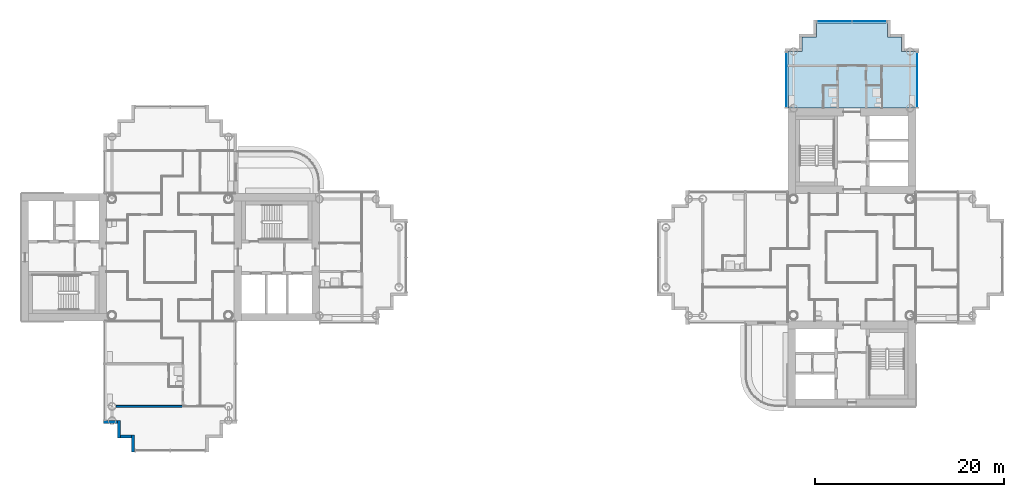
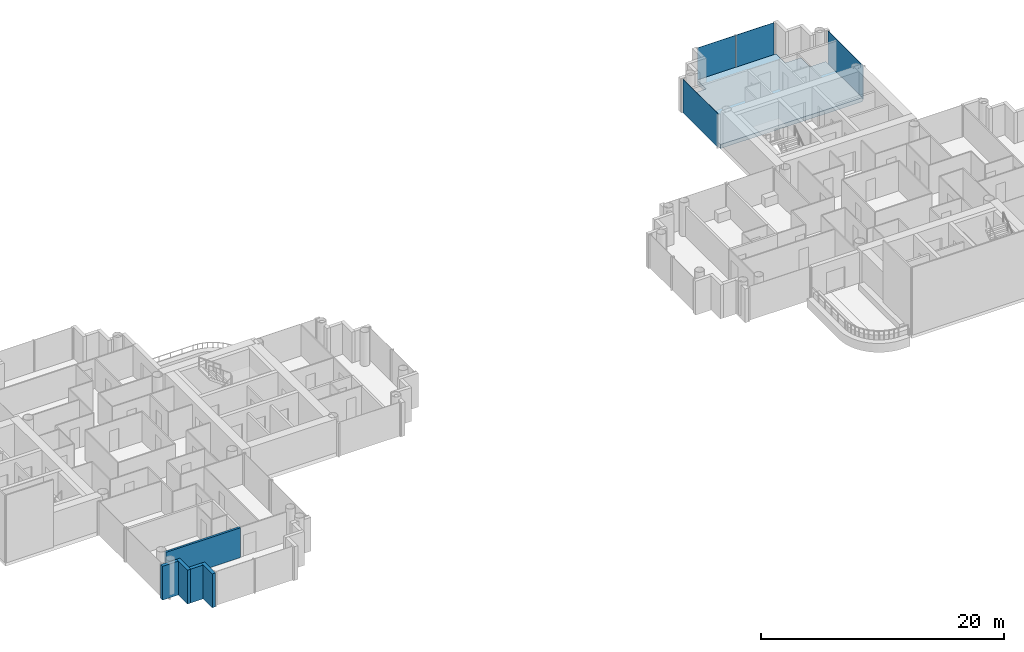
# One storey, part 6 of 19: 5 walls, 4 plates, 1 slab, 3 elements without a shape of their own.
"""IFC4 building model written with IfcOpenShell, lengths in metres."""

from ifc_helpers import new_model, si_unit, direction, frame, frame_2d, origin, origin_2d, place, context, subcontext, project, spatial, polyline, rectangle, outline, extrude, material, layer, layer_set, type_object, element, aggregate, save


model = new_model("IFC4")

# Units and contexts
model_context = context("Model", 3, precision=1e-05, world=origin(), true_north=direction((0.0, 1.0)))
body_context = subcontext(model_context, "Body", "Model", "MODEL_VIEW")
ifc_project = project(units=[si_unit("LENGTHUNIT", "METRE"), si_unit("AREAUNIT", "SQUARE_METRE"), si_unit("VOLUMEUNIT", "CUBIC_METRE"), si_unit("PLANEANGLEUNIT", "RADIAN"), si_unit("MASSUNIT", "GRAM", prefix="KILO")], contexts=[model_context])

# Site, building, storey
site_placement = place(None, origin())
site = spatial("IfcSite", under=ifc_project, at=site_placement, CompositionType="ELEMENT")
building_placement = place(site_placement, origin())
building = spatial("IfcBuilding", under=site, at=building_placement, Name="Ipe Terrace Towers", CompositionType="ELEMENT")
storey_placement = place(building_placement, frame((0.0, 0.0, 174.5)))
storey = spatial("IfcBuildingStorey", under=building, at=storey_placement, Name="L48", CompositionType="ELEMENT", Elevation=174.5)

# Slab
ifc_material_1 = material(Name="Concrete C40/50", Category="concrete")
ifc_layer_1 = layer(ifc_material_1, 0.39990234375)
ifc_layer_set_1 = layer_set([ifc_layer_1], Name="FLAT PLATE SLAB 400 C40-50")
slab_type = type_object("IfcSlabType", Name="FLAT PLATE SLAB 400 C40-50", PredefinedType="FLOOR", material=ifc_layer_set_1)
slab_placement = place(storey_placement, frame((0.0, 0.0, -0.39990234375)))
element("IfcSlab", 1, at=slab_placement, inside=storey, type_object=slab_type, Name="Slab T2-FS-Z32", PredefinedType="FLOOR", context=body_context, shape_type="SweptSolid", body=[
    extrude(outline(polyline([(30.75, 21.75), (30.75, 23.25), (32.25, 23.25), (32.25, 24.75), (39.75, 24.75), (39.75, 23.25), (41.25, 23.25), (41.25, 21.75), (42.75, 21.75), (42.75, 15.75), (29.25, 15.75), (29.25, 21.75), (30.75, 21.75)])), origin(), (0.0, 0.0, 1.0), 0.39990234375),
])

# Curtain wall, plate
ifc_material_2 = material(Name="Aluminium alloy 6063-T6", Category="aluminium")
ifc_layer_2 = layer(ifc_material_2, 0.320068359375)
ifc_layer_set_2 = layer_set([ifc_layer_2], Name="TOWER UNITISED CURTAIN WALL")
curtain_wall_type = type_object("IfcCurtainWallType", Name="TOWER UNITISED CURTAIN WALL", PredefinedType="NOTDEFINED", material=ifc_layer_set_2)
curtain_wall_1_placement = place(storey_placement, origin())
curtain_wall_1 = element("IfcCurtainWall", 2, at=curtain_wall_1_placement, inside=storey, type_object=curtain_wall_type, Name="T2-CW-L48-16b curtain wall", PredefinedType="NOTDEFINED")
ifc_material_3 = material(Name="Glass, clear laminated", Category="glass")
ifc_layer_3 = layer(ifc_material_3, 0.031982421875)
ifc_layer_set_3 = layer_set([ifc_layer_3], Name="TOWER UNITISED GLASS PANEL 32")
plate_type = type_object("IfcPlateType", Name="TOWER UNITISED GLASS PANEL 32", PredefinedType="CURTAIN_PANEL", material=ifc_layer_set_3)
plate_1_placement = place(storey_placement, frame((42.909912109375, 18.75048828125, -0.300048828125), z_axis=(0.0, 0.0, 1.0), x_axis=(0.0, 1.0, 0.0)))
plate_1 = element("IfcPlate", 3, at=plate_1_placement, type_object=plate_type, Name="T2-CW-L48-16b panel 1", PredefinedType="CURTAIN_PANEL", context=body_context, shape_type="SweptSolid", body=[
    extrude(rectangle(XDim=5.759033203125, YDim=0.031982421875, at=origin_2d()), origin(), (0.0, 0.0, 1.0), 3.39990234375),
])
aggregate(curtain_wall_1, [plate_1])

# Curtain wall, plates
curtain_wall_2_placement = place(storey_placement, origin())
curtain_wall_2 = element("IfcCurtainWall", 4, at=curtain_wall_2_placement, inside=storey, type_object=curtain_wall_type, Name="T2-CW-L48-21a curtain wall", PredefinedType="NOTDEFINED")
plate_2_placement = place(storey_placement, frame((37.831298828125, 24.909912109375, -0.300048828125), z_axis=(0.0, 0.0, 1.0), x_axis=(-1.0, 0.0, 0.0)))
plate_2 = element("IfcPlate", 5, at=plate_2_placement, type_object=plate_type, Name="T2-CW-L48-21a panel 1", PredefinedType="CURTAIN_PANEL", context=body_context, shape_type="SweptSolid", body=[
    extrude(rectangle(XDim=3.597412109375, YDim=0.031982421875, at=origin_2d()), origin(), (0.0, 0.0, 1.0), 3.39990234375),
])
plate_3_placement = place(storey_placement, frame((34.168701171875, 24.909912109375, -0.300048828125), z_axis=(0.0, 0.0, 1.0), x_axis=(-1.0, 0.0, 0.0)))
plate_3 = element("IfcPlate", 6, at=plate_3_placement, type_object=plate_type, Name="T2-CW-L48-21a panel 2", PredefinedType="CURTAIN_PANEL", context=body_context, shape_type="SweptSolid", body=[
    extrude(rectangle(XDim=3.597412109375, YDim=0.031982421875, at=origin_2d()), origin(), (0.0, 0.0, 1.0), 3.39990234375),
])
aggregate(curtain_wall_2, [plate_2, plate_3])

# Curtain wall, plate
curtain_wall_3_placement = place(storey_placement, origin())
curtain_wall_3 = element("IfcCurtainWall", 7, at=curtain_wall_3_placement, inside=storey, type_object=curtain_wall_type, Name="T2-CW-L48-26a curtain wall", PredefinedType="NOTDEFINED")
plate_4_placement = place(storey_placement, frame((29.090087890625, 18.75048828125, -0.300048828125), z_axis=(0.0, 0.0, 1.0), x_axis=(0.0, -1.0, 0.0)))
plate_4 = element("IfcPlate", 8, at=plate_4_placement, type_object=plate_type, Name="T2-CW-L48-26a panel 1", PredefinedType="CURTAIN_PANEL", context=body_context, shape_type="SweptSolid", body=[
    extrude(rectangle(XDim=5.759033203125, YDim=0.031982421875, at=origin_2d()), origin(), (0.0, 0.0, 1.0), 3.39990234375),
])
aggregate(curtain_wall_3, [plate_4])

# Walls
ifc_material_4 = material(Name="Concrete C40/50 with buff precast cladding", Category="concrete")
ifc_layer_4 = layer(ifc_material_4, 0.320068359375)
ifc_layer_set_4 = layer_set([ifc_layer_4], Name="BUFF CLADDING WALL 320")
wall_type_1 = type_object("IfcWallType", Name="BUFF CLADDING WALL 320", PredefinedType="STANDARD", material=ifc_layer_set_4)
wall_1_placement = place(storey_placement, frame((-43.070068359375, -17.409912109375, -0.300048828125), z_axis=(0.0, 0.0, 1.0), x_axis=(1.0, 0.0, 0.0)))
element("IfcWall", 9, at=wall_1_placement, inside=storey, type_object=wall_type_1, Name="T1-W-L48-04a wall", PredefinedType="STANDARD", context=body_context, shape_type="SweptSolid", body=[
    extrude(rectangle(XDim=1.5, YDim=0.320068359375, at=frame_2d((0.75, 0.0))), origin(), (0.0, 0.0, 1.0), 3.400146484375),
])
wall_2_placement = place(storey_placement, frame((-41.409912109375, -17.25, -0.300048828125), z_axis=(0.0, 0.0, 1.0), x_axis=(0.0, -1.0, 0.0)))
element("IfcWall", 10, at=wall_2_placement, inside=storey, type_object=wall_type_1, Name="T1-W-L48-05a wall", PredefinedType="STANDARD", context=body_context, shape_type="SweptSolid", body=[
    extrude(rectangle(XDim=1.820068359375, YDim=0.320068359375, at=frame_2d((0.91015625, 0.0))), origin(), (0.0, 0.0, 1.0), 3.400146484375),
])
wall_3_placement = place(storey_placement, frame((-41.25, -18.909912109375, -0.300048828125), z_axis=(0.0, 0.0, 1.0), x_axis=(1.0, 0.0, 0.0)))
element("IfcWall", 11, at=wall_3_placement, inside=storey, type_object=wall_type_1, Name="T1-W-L48-06a wall", PredefinedType="STANDARD", context=body_context, shape_type="SweptSolid", body=[
    extrude(rectangle(XDim=1.179931640625, YDim=0.320068359375, at=frame_2d((0.58984375, 0.0))), origin(), (0.0, 0.0, 1.0), 3.400146484375),
])
wall_4_placement = place(storey_placement, frame((-39.909912109375, -18.75, -0.300048828125), z_axis=(0.0, 0.0, 1.0), x_axis=(0.0, -1.0, 0.0)))
element("IfcWall", 12, at=wall_4_placement, inside=storey, type_object=wall_type_1, Name="T1-W-L48-07a wall", PredefinedType="STANDARD", context=body_context, shape_type="SweptSolid", body=[
    extrude(rectangle(XDim=1.820068359375, YDim=0.320068359375, at=frame_2d((0.91015625, 0.0))), origin(), (0.0, 0.0, 1.0), 3.400146484375),
])
ifc_material_5 = material(Name="Gypsum board party wall", Category="plasterboard")
ifc_layer_5 = layer(ifc_material_5, 0.199951171875)
ifc_layer_set_5 = layer_set([ifc_layer_5], Name="Gypsum board party wall 200 mm")
wall_type_2 = type_object("IfcWallType", Name="Gypsum board party wall 200 mm", PredefinedType="SOLIDWALL", material=ifc_layer_set_5)
wall_5_placement = place(storey_placement, frame((-41.75, -15.75, 0.0), z_axis=(0.0, 0.0, 1.0), x_axis=(1.0, 0.0, 0.0)))
element("IfcWall", 13, at=wall_5_placement, inside=storey, type_object=wall_type_2, Name="Gypsum board party wall T1 L48 W21", PredefinedType="SOLIDWALL", context=body_context, shape_type="SweptSolid", body=[
    extrude(rectangle(XDim=7.10009765625, YDim=0.199951171875, at=frame_2d((3.550048828125, 0.0))), origin(), (0.0, 0.0, 1.0), 3.0),
])

save(model, "model.ifc")
